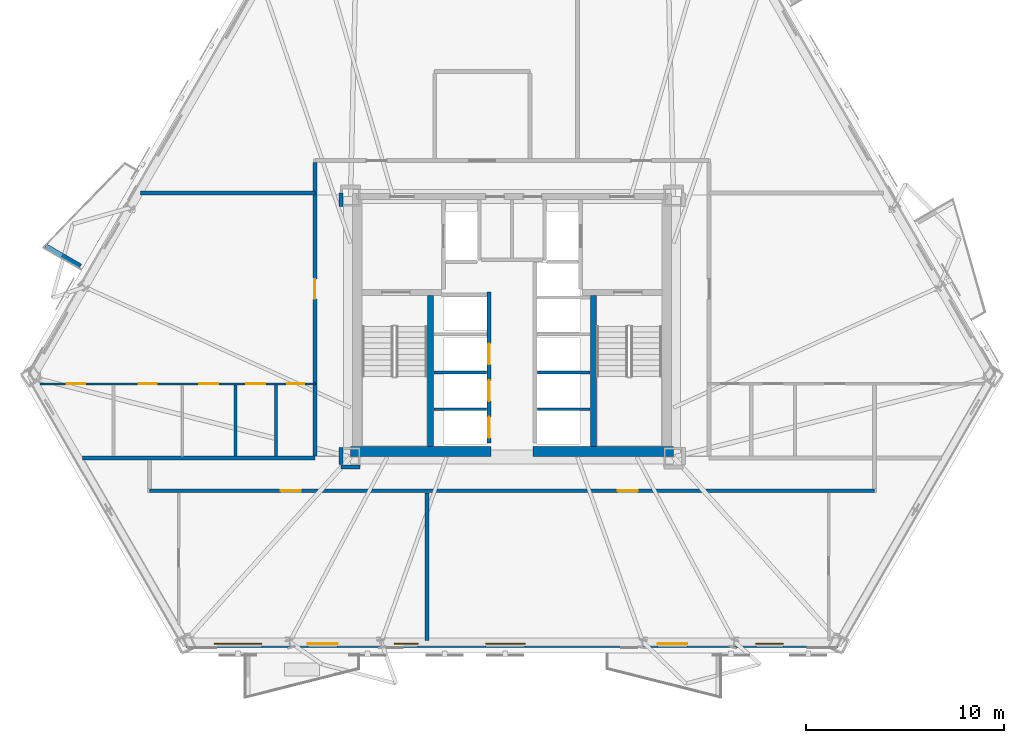
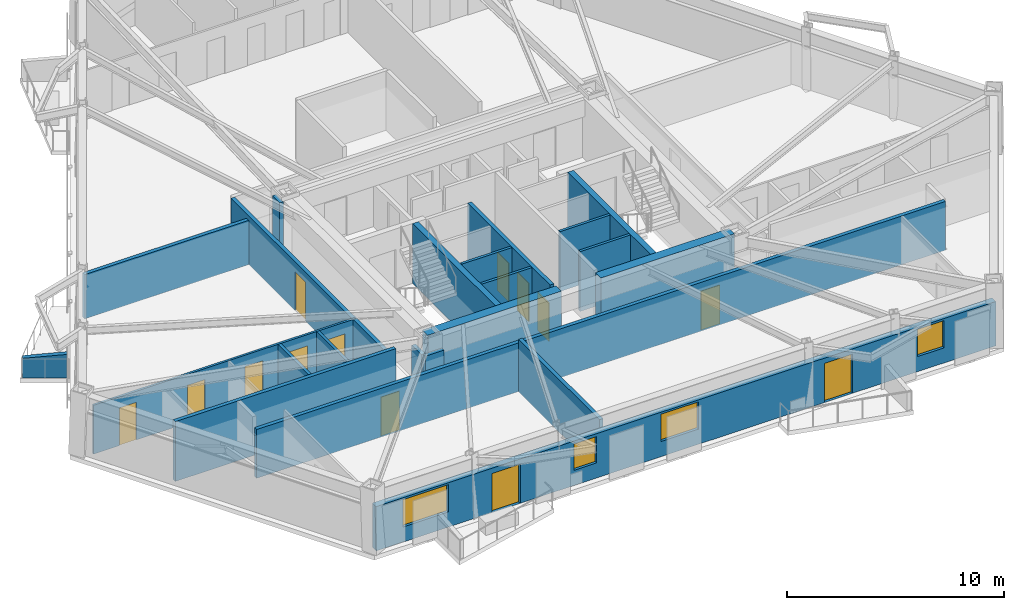
# One storey, part 3 of 12: 22 walls, 13 doors, 4 windows, 17 openings.
"""IFC4 building model written with IfcOpenShell, lengths in metres."""

import ifcopenshell
import ifcopenshell.guid

model = None  # the IFC model being written
_history = None  # IfcOwnerHistory: only IFC2X3 demands one
_inside = {}  # id of a spatial element -> (the spatial element, [elements in it])
_under = {}  # id of a project, library or spatial element -> (it, [spatial elements below it])
_declared = {}  # id of a project -> (the project, [libraries it declares])
_typed = {}  # id of a type object -> (the type object, [elements of that type])
_made_of = {}  # id of a material, layer set ... -> (it, [elements and type objects made of it])


def new_model(schema):
    """Start an empty IFC model of exactly this schema.

    Asked for "IFC4X3", IfcOpenShell would pick the latest addendum, in which some entities
    have other attributes; the version numbers below select the first issue.
    IFC2X3 requires an IfcOwnerHistory on every rooted entity: one is made here for all.
    """
    global model, _history
    if schema == "IFC4X3":
        model = ifcopenshell.file(schema_version=(4, 3, 0, 0))
    else:
        model = ifcopenshell.file(schema=schema)
    _inside.clear()
    _under.clear()
    _declared.clear()
    _typed.clear()
    _made_of.clear()
    _history = None
    if model.schema == "IFC2X3":
        org = make("IfcOrganization", Name="unknown")
        user = make(
            "IfcPersonAndOrganization",
            ThePerson=make("IfcPerson", FamilyName="unknown"),
            TheOrganization=org,
        )
        app = make(
            "IfcApplication",
            ApplicationDeveloper=org,
            Version="unknown",
            ApplicationFullName="unknown",
            ApplicationIdentifier="unknown",
        )
        _history = make(
            "IfcOwnerHistory",
            OwningUser=user,
            OwningApplication=app,
            ChangeAction="ADDED",
            CreationDate=0,
        )
    return model


def make(cls, **values):
    """One entity of the class cls with the attributes given. An attribute that is None is left unset."""
    return model.create_entity(
        cls, **{name: value for name, value in values.items() if value is not None}
    )


def rooted(cls, **values):
    """An entity with a GlobalId (a new one), such as an element, a storey or a relation."""
    return make(cls, GlobalId=ifcopenshell.guid.new(), OwnerHistory=_history, **values)


def si_unit(unit_type, name, prefix=None):
    """IfcSIUnit, for example si_unit("LENGTHUNIT", "METRE", prefix="MILLI")."""
    return make("IfcSIUnit", UnitType=unit_type, Prefix=prefix, Name=name)


def assignment(units):
    """IfcUnitAssignment: the units of a project."""
    return None if units is None else make("IfcUnitAssignment", Units=units)


def point(xyz):
    """IfcCartesianPoint."""
    return None if xyz is None else make("IfcCartesianPoint", Coordinates=xyz)


def direction(xyz):
    """IfcDirection."""
    return None if xyz is None else make("IfcDirection", DirectionRatios=xyz)


def frame(location, z_axis=None, x_axis=None):
    """IfcAxis2Placement3D, a coordinate frame: its origin and axes. An axis left out is left unset."""
    return make(
        "IfcAxis2Placement3D",
        Location=point(location),
        Axis=direction(z_axis),
        RefDirection=direction(x_axis),
    )


def frame_2d(location, x_axis=None):
    """IfcAxis2Placement2D, a coordinate frame in the plane: its origin and x axis."""
    return make(
        "IfcAxis2Placement2D", Location=point(location), RefDirection=direction(x_axis)
    )


def origin():
    """The frame at (0, 0, 0) with its axes left unset."""
    return frame((0.0, 0.0, 0.0))


def place(relative_to, where):
    """IfcLocalPlacement: puts the frame where relative to a parent placement (None: the world)."""
    return make(
        "IfcLocalPlacement", PlacementRelTo=relative_to, RelativePlacement=where
    )


def context(
    kind, dimensions, precision=None, world=None, true_north=None, identifier=None
):
    """IfcGeometricRepresentationContext, for example the 3D "Model" context."""
    return make(
        "IfcGeometricRepresentationContext",
        ContextIdentifier=identifier,
        ContextType=kind,
        CoordinateSpaceDimension=dimensions,
        Precision=precision,
        WorldCoordinateSystem=world,
        TrueNorth=true_north,
    )


def subcontext(parent, identifier, kind, view, scale=None):
    """IfcGeometricRepresentationSubContext, for example "Body" below "Model"."""
    return make(
        "IfcGeometricRepresentationSubContext",
        ContextIdentifier=identifier,
        ContextType=kind,
        ParentContext=parent,
        TargetScale=scale,
        TargetView=view,
    )


def project(units=None, contexts=None):
    """IfcProject with its units and contexts."""
    return rooted(
        "IfcProject",
        Name="project",
        RepresentationContexts=contexts,
        UnitsInContext=assignment(units),
    )


def spatial(cls, under=None, at=None, **own):
    """A site, building, storey or space (cls), placed at a placement, below another one or the project."""
    s = rooted(cls, ObjectPlacement=at, **own)
    if under is not None:
        _under.setdefault(under.id(), (under, []))[1].append(s)
    return s


def polyline(points):
    """IfcPolyline through the points."""
    return make("IfcPolyline", Points=[point(p) for p in points])


def profile(cls, at=None, kind="AREA", **sizes):
    """A parametric profile (cls). Its sizes go by their IFC names, for example OverallWidth=200.0."""
    return make(cls, ProfileType=kind, Position=at, **sizes)


def rectangle(**sizes):
    """IfcRectangleProfileDef."""
    return profile("IfcRectangleProfileDef", **sizes)


def outline(outer, holes=None, kind="AREA"):
    """IfcArbitraryClosedProfileDef: a profile drawn as a closed curve; with holes, ...WithVoids."""
    if holes is None:
        return make("IfcArbitraryClosedProfileDef", ProfileType=kind, OuterCurve=outer)
    return make(
        "IfcArbitraryProfileDefWithVoids",
        ProfileType=kind,
        OuterCurve=outer,
        InnerCurves=holes,
    )


def extrude(swept, where, along, depth):
    """IfcExtrudedAreaSolid: the profile swept, set in the frame where, extruded along a direction by depth."""
    return make(
        "IfcExtrudedAreaSolid",
        SweptArea=swept,
        Position=where,
        ExtrudedDirection=direction(along),
        Depth=depth,
    )


def shape(context_of_items, identifier, shape_type, items):
    """IfcShapeRepresentation: the items that make up one representation, for example the "Body"."""
    return make(
        "IfcShapeRepresentation",
        ContextOfItems=context_of_items,
        RepresentationIdentifier=identifier,
        RepresentationType=shape_type,
        Items=items,
    )


def material(Name=None, Category=None):
    """IfcMaterial."""
    return make("IfcMaterial", Name=Name, Category=Category)


def layer(
    of_material, thickness, ventilated=None, Name=None, Category=None, Priority=None
):
    """IfcMaterialLayer: one layer of a wall or slab, of a material (None: an air gap)."""
    return make(
        "IfcMaterialLayer",
        Material=of_material,
        LayerThickness=thickness,
        IsVentilated=ventilated,
        Name=Name,
        Category=Category,
        Priority=Priority,
    )


def layer_set(layers, Name=None):
    """IfcMaterialLayerSet."""
    return make("IfcMaterialLayerSet", MaterialLayers=layers, LayerSetName=Name)


def made_of(thing, what):
    """Note that an element or type object is made of a material, layer set ...; save() writes the relation."""
    if what is not None:
        _made_of.setdefault(what.id(), (what, []))[1].append(thing)
    return thing


def type_object(cls, material=None, **own):
    """A type object (cls), such as IfcWallType, which elements share."""
    return made_of(rooted(cls, **own), material)


def element(
    cls,
    number,
    at=None,
    inside=None,
    cuts=None,
    type_object=None,
    material=None,
    context=None,
    identifier="Body",
    shape_type=None,
    held_by="IfcProductDefinitionShape",
    body=None,
    shapes=None,
    **own,
):
    """One element of the class cls, such as IfcWall. Its Tag is "e" and its number.

    at: its placement. inside: the storey or other place that contains it. cuts: it is an
    opening in that element (IfcRelVoidsElement). A single representation is given by context,
    identifier, shape_type and body (its items); several are given by shapes. held_by: the class
    of the entity that holds the representations. save() writes the other relations.
    """
    e = rooted(cls, Tag="e%d" % number, ObjectPlacement=at, **own)
    if body is not None:
        shapes = [shape(context, identifier, shape_type, body)]
    if shapes is not None:
        e.Representation = make(held_by, Representations=shapes)
    if inside is not None:
        _inside.setdefault(inside.id(), (inside, []))[1].append(e)
    if cuts is not None:
        rooted(
            "IfcRelVoidsElement", RelatingBuildingElement=cuts, RelatedOpeningElement=e
        )
    if type_object is not None:
        _typed.setdefault(type_object.id(), (type_object, []))[1].append(e)
    return made_of(e, material)


def fill(opening, filler):
    """IfcRelFillsElement: the door or window that sits in an opening."""
    return rooted(
        "IfcRelFillsElement",
        RelatingOpeningElement=opening,
        RelatedBuildingElement=filler,
    )


def aggregate(whole, parts):
    """IfcRelAggregates: a whole, such as a stair, and the parts it consists of."""
    return rooted("IfcRelAggregates", RelatingObject=whole, RelatedObjects=parts)


def save(model, path):
    """Write the relations noted so far, then the file.

    IfcRelAggregates (storeys below a building ...), IfcRelContainedInSpatialStructure (elements
    in a storey), IfcRelDefinesByType, IfcRelAssociatesMaterial and IfcRelDeclares: one each for
    every whole, place, type object, material and project.
    """
    for whole, parts in _under.values():
        aggregate(whole, parts)
    for where, things in _inside.values():
        rooted(
            "IfcRelContainedInSpatialStructure",
            RelatedElements=things,
            RelatingStructure=where,
        )
    for kind, things in _typed.values():
        rooted("IfcRelDefinesByType", RelatedObjects=things, RelatingType=kind)
    for what, things in _made_of.values():
        rooted("IfcRelAssociatesMaterial", RelatedObjects=things, RelatingMaterial=what)
    for by, libraries in _declared.values():
        rooted("IfcRelDeclares", RelatingContext=by, RelatedDefinitions=libraries)
    model.write(path)


model = new_model("IFC4")

# Units and contexts
model_context = context("Model", 3, precision=1e-05, world=origin(), true_north=direction((0.0, 1.0)))
body_context = subcontext(model_context, "Body", "Model", "MODEL_VIEW")
ifc_project = project(units=[si_unit("LENGTHUNIT", "METRE"), si_unit("AREAUNIT", "SQUARE_METRE"), si_unit("VOLUMEUNIT", "CUBIC_METRE"), si_unit("PLANEANGLEUNIT", "RADIAN"), si_unit("MASSUNIT", "GRAM", prefix="KILO")], contexts=[model_context])

# Site, building, storey
site_placement = place(None, origin())
site = spatial("IfcSite", under=ifc_project, at=site_placement, CompositionType="ELEMENT")
building_placement = place(site_placement, origin())
building = spatial("IfcBuilding", under=site, at=building_placement, Name="Oramaril Tower", CompositionType="ELEMENT")
storey_placement = place(building_placement, frame((0.0, 0.0, 34.5)))
storey = spatial("IfcBuildingStorey", under=building, at=storey_placement, Name="L08", CompositionType="ELEMENT", Elevation=34.5)

# Wall, openings, doors, windows
ifc_material_1 = material(Name="Warm Cream Limestone", Category="masonry")
ifc_layer_1 = layer(ifc_material_1, 0.340087890625)
ifc_layer_set_1 = layer_set([ifc_layer_1], Name="WT-EXT34")
wall_type_1 = type_object("IfcWallType", Name="WT-EXT34", PredefinedType="SOLIDWALL", material=ifc_layer_set_1)
wall_1_placement = place(storey_placement, frame((21.0380859375, 1.5703125, 0.0), z_axis=(0.0, 0.0, 1.0), x_axis=(1.0, 0.0, 0.0)))
wall_1 = element("IfcWall", 1, at=wall_1_placement, inside=storey, type_object=wall_type_1, Name="L08 Tower Limestone Facade Wall 2M", PredefinedType="SOLIDWALL", context=body_context, shape_type="SweptSolid", body=[
    extrude(rectangle(XDim=32.923828125, YDim=0.340087890625, at=frame_2d((16.4619140625, 0.0))), origin(), (0.0, 0.0, 1.0), 2.493896484375),
])
opening_1_placement = place(wall_1_placement, frame((6.159423828125, 0.0, 0.0)))
opening_1 = element("IfcOpeningElement", 2, at=opening_1_placement, cuts=wall_1, Name="Opening D-L08-BAL-S1", PredefinedType="OPENING", context=body_context, shape_type="SweptSolid", body=[
    extrude(rectangle(XDim=1.5, YDim=2.199951171875, at=frame_2d((0.75, 1.10009765625))), frame((0.0, 0.169921875, 0.0), z_axis=(0.0, -1.0, 0.0), x_axis=(1.0, 0.0, 0.0)), (0.0, 0.0, 1.0), 0.340087890625),
])
opening_2_placement = place(wall_1_placement, frame((23.809326171875, 0.0, 0.0)))
opening_2 = element("IfcOpeningElement", 3, at=opening_2_placement, cuts=wall_1, Name="Opening D-L08-BAL-S2", PredefinedType="OPENING", context=body_context, shape_type="SweptSolid", body=[
    extrude(rectangle(XDim=1.5, YDim=2.199951171875, at=frame_2d((0.75, 1.10009765625))), frame((0.0, 0.169921875, 0.0), z_axis=(0.0, -1.0, 0.0), x_axis=(1.0, 0.0, 0.0)), (0.0, 0.0, 1.0), 0.340087890625),
])
opening_3_placement = place(wall_1_placement, frame((1.43310546875, 0.0, 0.85009765625)))
opening_3 = element("IfcOpeningElement", 4, at=opening_3_placement, cuts=wall_1, Name="Opening WN-03", PredefinedType="OPENING", context=body_context, shape_type="SweptSolid", body=[
    extrude(rectangle(XDim=2.39990234375, YDim=1.533935546875, at=frame_2d((1.199951171875, 0.76708984375))), frame((0.0, 0.169921875, 0.0), z_axis=(0.0, -1.0, 0.0), x_axis=(1.0, 0.0, 0.0)), (0.0, 0.0, 1.0), 0.340087890625),
])
opening_4_placement = place(wall_1_placement, frame((10.517822265625, 0.0, 0.85009765625)))
opening_4 = element("IfcOpeningElement", 5, at=opening_4_placement, cuts=wall_1, Name="Opening WN-09", PredefinedType="OPENING", context=body_context, shape_type="SweptSolid", body=[
    extrude(rectangle(XDim=1.199951171875, YDim=1.47998046875, at=frame_2d((0.60009765625, 0.739990234375))), frame((0.0, 0.169921875, 0.0), z_axis=(0.0, -1.0, 0.0), x_axis=(1.0, 0.0, 0.0)), (0.0, 0.0, 1.0), 0.340087890625),
])
opening_5_placement = place(wall_1_placement, frame((15.125732421875, 0.0, 0.85009765625)))
opening_5 = element("IfcOpeningElement", 6, at=opening_5_placement, cuts=wall_1, Name="Opening WN-05", PredefinedType="OPENING", context=body_context, shape_type="SweptSolid", body=[
    extrude(rectangle(XDim=2.0, YDim=1.533935546875, at=frame_2d((1.0, 0.76708984375))), frame((0.0, 0.169921875, 0.0), z_axis=(0.0, -1.0, 0.0), x_axis=(1.0, 0.0, 0.0)), (0.0, 0.0, 1.0), 0.340087890625),
])
opening_6_placement = place(wall_1_placement, frame((28.765869140625, 0.0, 0.85009765625)))
opening_6 = element("IfcOpeningElement", 7, at=opening_6_placement, cuts=wall_1, Name="Opening WN-08", PredefinedType="OPENING", context=body_context, shape_type="SweptSolid", body=[
    extrude(rectangle(XDim=1.39990234375, YDim=1.533935546875, at=frame_2d((0.699951171875, 0.76708984375))), frame((0.0, 0.169921875, 0.0), z_axis=(0.0, -1.0, 0.0), x_axis=(1.0, 0.0, 0.0)), (0.0, 0.0, 1.0), 0.340087890625),
])
ifc_material_2 = material(Name="Anodised Aluminium 6063-T6", Category="aluminium")
door_type_1 = type_object("IfcDoorType", Name="DT-BAL", OperationType="NOTDEFINED", PredefinedType="DOOR", material=ifc_material_2)
door_1_placement = place(opening_1_placement, origin())
door_1 = element("IfcDoor", 8, at=door_1_placement, inside=storey, type_object=door_type_1, Name="L08 Balcony Glazed Door L08-BAL-S1", OperationType="SINGLE_SWING_LEFT", OverallHeight=2.199951171875, OverallWidth=1.5, PredefinedType="DOOR", context=body_context, shape_type="SweptSolid", body=[
    extrude(rectangle(XDim=1.5, YDim=2.199951171875, at=frame_2d((0.75, 1.10009765625))), frame((0.0, 0.02490234375, 0.0), z_axis=(0.0, -1.0, 0.0), x_axis=(1.0, 0.0, 0.0)), (0.0, 0.0, 1.0), 0.050048828125),
])
fill(opening_1, door_1)
door_2_placement = place(opening_2_placement, origin())
door_2 = element("IfcDoor", 9, at=door_2_placement, inside=storey, type_object=door_type_1, Name="L08 Balcony Glazed Door L08-BAL-S2", OperationType="SINGLE_SWING_RIGHT", OverallHeight=2.199951171875, OverallWidth=1.5, PredefinedType="DOOR", context=body_context, shape_type="SweptSolid", body=[
    extrude(rectangle(XDim=1.5, YDim=2.199951171875, at=frame_2d((0.75, 1.10009765625))), frame((0.0, 0.02490234375, 0.0), z_axis=(0.0, -1.0, 0.0), x_axis=(1.0, 0.0, 0.0)), (0.0, 0.0, 1.0), 0.050048828125),
])
fill(opening_2, door_2)
ifc_material_3 = material(Name="Coastal Low-E Insulated Glass", Category="glass")
window_type_1 = type_object("IfcWindowType", Name="WNT-03", PartitioningType="SINGLE_PANEL", PredefinedType="WINDOW", material=ifc_material_3)
window_1_placement = place(opening_3_placement, origin())
window_1 = element("IfcWindow", 10, at=window_1_placement, inside=storey, type_object=window_type_1, Name="L08 Chicago Bay Window WN-03", OverallHeight=1.533935546875, OverallWidth=2.39990234375, PartitioningType="SINGLE_PANEL", PredefinedType="WINDOW", context=body_context, shape_type="SweptSolid", body=[
    extrude(rectangle(XDim=2.39990234375, YDim=1.533935546875, at=frame_2d((1.199951171875, 0.76708984375))), frame((0.0, 0.030029296875, 0.0), z_axis=(0.0, -1.0, 0.0), x_axis=(1.0, 0.0, 0.0)), (0.0, 0.0, 1.0), 0.06005859375),
])
fill(opening_3, window_1)
ifc_material_4 = material(Name="Coastal Low-E Insulated Glass", Category="glass")
window_type_2 = type_object("IfcWindowType", Name="WNT-05", PartitioningType="SINGLE_PANEL", PredefinedType="WINDOW", material=ifc_material_4)
window_2_placement = place(opening_5_placement, origin())
window_2 = element("IfcWindow", 11, at=window_2_placement, inside=storey, type_object=window_type_2, Name="L08 Chicago Bay Window WN-05", OverallHeight=1.533935546875, OverallWidth=2.0, PartitioningType="SINGLE_PANEL", PredefinedType="WINDOW", context=body_context, shape_type="SweptSolid", body=[
    extrude(rectangle(XDim=2.0, YDim=1.533935546875, at=frame_2d((1.0, 0.76708984375))), frame((0.0, 0.030029296875, 0.0), z_axis=(0.0, -1.0, 0.0), x_axis=(1.0, 0.0, 0.0)), (0.0, 0.0, 1.0), 0.06005859375),
])
fill(opening_5, window_2)
ifc_material_5 = material(Name="Coastal Low-E Insulated Glass", Category="glass")
window_type_3 = type_object("IfcWindowType", Name="WNT-08", PartitioningType="SINGLE_PANEL", PredefinedType="WINDOW", material=ifc_material_5)
window_3_placement = place(opening_6_placement, origin())
window_3 = element("IfcWindow", 12, at=window_3_placement, inside=storey, type_object=window_type_3, Name="L08 Chicago Bay Window WN-08", OverallHeight=1.533935546875, OverallWidth=1.39990234375, PartitioningType="SINGLE_PANEL", PredefinedType="WINDOW", context=body_context, shape_type="SweptSolid", body=[
    extrude(rectangle(XDim=1.39990234375, YDim=1.533935546875, at=frame_2d((0.699951171875, 0.76708984375))), frame((0.0, 0.030029296875, 0.0), z_axis=(0.0, -1.0, 0.0), x_axis=(1.0, 0.0, 0.0)), (0.0, 0.0, 1.0), 0.06005859375),
])
fill(opening_6, window_3)
ifc_material_6 = material(Name="Coastal Low-E Insulated Glass", Category="glass")
window_type_4 = type_object("IfcWindowType", Name="WNT-09", PartitioningType="SINGLE_PANEL", PredefinedType="WINDOW", material=ifc_material_6)
window_4_placement = place(opening_4_placement, origin())
window_4 = element("IfcWindow", 13, at=window_4_placement, inside=storey, type_object=window_type_4, Name="L08 Chicago Bay Window WN-09", OverallHeight=1.47998046875, OverallWidth=1.199951171875, PartitioningType="SINGLE_PANEL", PredefinedType="WINDOW", context=body_context, shape_type="SweptSolid", body=[
    extrude(rectangle(XDim=1.199951171875, YDim=1.47998046875, at=frame_2d((0.60009765625, 0.739990234375))), frame((0.0, 0.030029296875, 0.0), z_axis=(0.0, -1.0, 0.0), x_axis=(1.0, 0.0, 0.0)), (0.0, 0.0, 1.0), 0.06005859375),
])
fill(opening_4, window_4)

# Wall
ifc_material_7 = material(Name="Concrete C40/50", Category="concrete")
ifc_layer_2 = layer(ifc_material_7, 0.22998046875)
ifc_layer_set_2 = layer_set([ifc_layer_2], Name="WT-PRP23")
wall_type_2 = type_object("IfcWallType", Name="WT-PRP23", PredefinedType="PARAPET", material=ifc_layer_set_2)
wall_2_placement = place(storey_placement, frame((15.7236328125, 20.6376953125, 0.0), z_axis=(0.0, 0.0, 1.0), x_axis=(-0.866012356593, 0.500022597718, 0.0)))
element("IfcWall", 14, at=wall_2_placement, inside=storey, type_object=wall_type_2, Name="L08 Trapezoidal Balcony Frame Cheek L08-BAL-NW2-R", PredefinedType="PARAPET", context=body_context, shape_type="SweptSolid", body=[
    extrude(outline(polyline([(0.0, 0.0), (2.0419921875, 0.0), (2.0419921875, 1.10009765625), (0.0, 1.320068359375), (0.0, 0.0)])), frame((0.0, 0.114990234375, 0.0), z_axis=(0.0, -1.0, 0.0), x_axis=(1.0, 0.0, 0.0)), (0.0, 0.0, 1.0), 0.22998046875),
])

# Wall, openings, doors
ifc_material_8 = material(Name="Acoustic Gypsum Board Partition")
ifc_layer_3 = layer(ifc_material_8, 0.1201171875)
ifc_layer_set_3 = layer_set([ifc_layer_3], Name="WT-PT12")
wall_type_3 = type_object("IfcWallType", Name="WT-PT12", PredefinedType="PARTITIONING", material=ifc_layer_set_3)
wall_3_placement = place(storey_placement, frame((13.66943359375, 14.68994140625, 0.0), z_axis=(0.0, 0.0, 1.0), x_axis=(1.0, 0.0, 0.0)))
wall_3 = element("IfcWall", 15, at=wall_3_placement, inside=storey, type_object=wall_type_3, Name="L08 Interior Partition PT-12", PredefinedType="PARTITIONING", context=body_context, shape_type="SweptSolid", body=[
    extrude(rectangle(XDim=13.9306640625, YDim=0.1201171875, at=frame_2d((6.96533203125, 0.0))), origin(), (0.0, 0.0, 1.0), 2.738037109375),
])
opening_7_placement = place(wall_3_placement, frame((1.363037109375, 0.0, 0.0)))
opening_7 = element("IfcOpeningElement", 16, at=opening_7_placement, cuts=wall_3, Name="Opening D-L08-03", PredefinedType="OPENING", context=body_context, shape_type="SweptSolid", body=[
    extrude(rectangle(XDim=0.919921875, YDim=2.1201171875, at=frame_2d((0.4599609375, 1.06005859375))), frame((0.0, 0.06005859375, 0.0), z_axis=(0.0, -1.0, 0.0), x_axis=(1.0, 0.0, 0.0)), (0.0, 0.0, 1.0), 0.1201171875),
])
opening_8_placement = place(wall_3_placement, frame((4.989501953125, 0.0, 0.0)))
opening_8 = element("IfcOpeningElement", 17, at=opening_8_placement, cuts=wall_3, Name="Opening D-L08-04", PredefinedType="OPENING", context=body_context, shape_type="SweptSolid", body=[
    extrude(rectangle(XDim=0.919921875, YDim=2.1201171875, at=frame_2d((0.4599609375, 1.06005859375))), frame((0.0, 0.06005859375, 0.0), z_axis=(0.0, -1.0, 0.0), x_axis=(1.0, 0.0, 0.0)), (0.0, 0.0, 1.0), 0.1201171875),
])
opening_9_placement = place(wall_3_placement, frame((8.0546875, 0.0, 0.0)))
opening_9 = element("IfcOpeningElement", 18, at=opening_9_placement, cuts=wall_3, Name="Opening D-L08-05", PredefinedType="OPENING", context=body_context, shape_type="SweptSolid", body=[
    extrude(rectangle(XDim=0.949951171875, YDim=2.10009765625, at=frame_2d((0.47509765625, 1.050048828125))), frame((0.0, 0.06005859375, 0.0), z_axis=(0.0, -1.0, 0.0), x_axis=(1.0, 0.0, 0.0)), (0.0, 0.0, 1.0), 0.1201171875),
])
opening_10_placement = place(wall_3_placement, frame((10.421142578125, 0.0, 0.0)))
opening_10 = element("IfcOpeningElement", 19, at=opening_10_placement, cuts=wall_3, Name="Opening D-L08-06", PredefinedType="OPENING", context=body_context, shape_type="SweptSolid", body=[
    extrude(rectangle(XDim=0.949951171875, YDim=2.10009765625, at=frame_2d((0.47509765625, 1.050048828125))), frame((0.0, 0.06005859375, 0.0), z_axis=(0.0, -1.0, 0.0), x_axis=(1.0, 0.0, 0.0)), (0.0, 0.0, 1.0), 0.1201171875),
])
opening_11_placement = place(wall_3_placement, frame((12.475830078125, 0.0, 0.0)))
opening_11 = element("IfcOpeningElement", 20, at=opening_11_placement, cuts=wall_3, Name="Opening D-L08-07", PredefinedType="OPENING", context=body_context, shape_type="SweptSolid", body=[
    extrude(rectangle(XDim=0.8798828125, YDim=2.080078125, at=frame_2d((0.43994140625, 1.0400390625))), frame((0.0, 0.06005859375, 0.0), z_axis=(0.0, -1.0, 0.0), x_axis=(1.0, 0.0, 0.0)), (0.0, 0.0, 1.0), 0.1201171875),
])
ifc_material_9 = material(Name="FSC Brazilian Freijo Hardwood", Category="wood")
door_type_2 = type_object("IfcDoorType", Name="DT-BATH", OperationType="NOTDEFINED", PredefinedType="DOOR", material=ifc_material_9)
door_3_placement = place(opening_11_placement, origin())
door_3 = element("IfcDoor", 21, at=door_3_placement, inside=storey, type_object=door_type_2, Name="L08 Flat L08-U3 Bathroom Door D-L08-07", OperationType="SINGLE_SWING_LEFT", OverallHeight=2.080078125, OverallWidth=0.8798828125, PredefinedType="DOOR", context=body_context, shape_type="SweptSolid", body=[
    extrude(rectangle(XDim=0.8798828125, YDim=2.080078125, at=frame_2d((0.43994140625, 1.0400390625))), frame((0.0, 0.02490234375, 0.0), z_axis=(0.0, -1.0, 0.0), x_axis=(1.0, 0.0, 0.0)), (0.0, 0.0, 1.0), 0.050048828125),
])
fill(opening_11, door_3)
ifc_material_10 = material(Name="FSC Brazilian Freijo Hardwood", Category="wood")
door_type_3 = type_object("IfcDoorType", Name="DT-BED", OperationType="NOTDEFINED", PredefinedType="DOOR", material=ifc_material_10)
door_4_placement = place(opening_7_placement, origin())
door_4 = element("IfcDoor", 22, at=door_4_placement, inside=storey, type_object=door_type_3, Name="L08 Flat L08-U3 Master Bedroom Door D-L08-03", OperationType="SINGLE_SWING_LEFT", OverallHeight=2.1201171875, OverallWidth=0.919921875, PredefinedType="DOOR", context=body_context, shape_type="SweptSolid", body=[
    extrude(rectangle(XDim=0.919921875, YDim=2.1201171875, at=frame_2d((0.4599609375, 1.06005859375))), frame((0.0, 0.02490234375, 0.0), z_axis=(0.0, -1.0, 0.0), x_axis=(1.0, 0.0, 0.0)), (0.0, 0.0, 1.0), 0.050048828125),
])
fill(opening_7, door_4)
door_5_placement = place(opening_8_placement, origin())
door_5 = element("IfcDoor", 23, at=door_5_placement, inside=storey, type_object=door_type_3, Name="L08 Flat L08-U3 Bedroom 2 Door D-L08-04", OperationType="SINGLE_SWING_RIGHT", OverallHeight=2.1201171875, OverallWidth=0.919921875, PredefinedType="DOOR", context=body_context, shape_type="SweptSolid", body=[
    extrude(rectangle(XDim=0.919921875, YDim=2.1201171875, at=frame_2d((0.4599609375, 1.06005859375))), frame((0.0, 0.02490234375, 0.0), z_axis=(0.0, -1.0, 0.0), x_axis=(1.0, 0.0, 0.0)), (0.0, 0.0, 1.0), 0.050048828125),
])
fill(opening_8, door_5)
ifc_material_11 = material(Name="FSC Brazilian Freijo Hardwood", Category="wood")
door_type_4 = type_object("IfcDoorType", Name="DT-STDY", OperationType="NOTDEFINED", PredefinedType="DOOR", material=ifc_material_11)
door_6_placement = place(opening_9_placement, origin())
door_6 = element("IfcDoor", 24, at=door_6_placement, inside=storey, type_object=door_type_4, Name="L08 Flat L08-U3 Breakfast Dining Room Door D-L08-05", OperationType="SINGLE_SWING_LEFT", OverallHeight=2.10009765625, OverallWidth=0.949951171875, PredefinedType="DOOR", context=body_context, shape_type="SweptSolid", body=[
    extrude(rectangle(XDim=0.949951171875, YDim=2.10009765625, at=frame_2d((0.47509765625, 1.050048828125))), frame((0.0, 0.02490234375, 0.0), z_axis=(0.0, -1.0, 0.0), x_axis=(1.0, 0.0, 0.0)), (0.0, 0.0, 1.0), 0.050048828125),
])
fill(opening_9, door_6)
door_7_placement = place(opening_10_placement, origin())
door_7 = element("IfcDoor", 25, at=door_7_placement, inside=storey, type_object=door_type_4, Name="L08 Flat L08-U3 Kitchen Door D-L08-06", OperationType="SINGLE_SWING_RIGHT", OverallHeight=2.10009765625, OverallWidth=0.949951171875, PredefinedType="DOOR", context=body_context, shape_type="SweptSolid", body=[
    extrude(rectangle(XDim=0.949951171875, YDim=2.10009765625, at=frame_2d((0.47509765625, 1.050048828125))), frame((0.0, 0.02490234375, 0.0), z_axis=(0.0, -1.0, 0.0), x_axis=(1.0, 0.0, 0.0)), (0.0, 0.0, 1.0), 0.050048828125),
])
fill(opening_10, door_7)

# Walls
ifc_material_12 = material(Name="Acoustic Gypsum Board Partition")
ifc_layer_4 = layer(ifc_material_12, 0.139892578125)
ifc_layer_set_4 = layer_set([ifc_layer_4], Name="WT-PT14")
wall_type_4 = type_object("IfcWallType", Name="WT-PT14", PredefinedType="PARTITIONING", material=ifc_layer_set_4)
for number, where, z_axis, x_axis, name in (
    (26, (33.56005859375, 13.419921875, 0.0), (0.0, 0.0, 1.0), (1.0, 0.0, 0.0), "L08 West Lift Divider"),
    (27, (33.56005859375, 15.27001953125, 0.0), (0.0, 0.0, 1.0), (1.0, 0.0, 0.0), "L08 West Lift Divider"),
    (28, (38.780029296875, 13.419921875, 0.0), (0.0, 0.0, 1.0), (1.0, 0.0, 0.0), "L08 East Lift Divider"),
    (29, (38.780029296875, 15.27001953125, 0.0), (0.0, 0.0, 1.0), (1.0, 0.0, 0.0), "L08 East Lift Divider"),
):
    element("IfcWall", number, at=place(storey_placement, frame(where, z_axis=z_axis, x_axis=x_axis)), inside=storey, type_object=wall_type_4, Name=name, PredefinedType="PARTITIONING", context=body_context, shape_type="SweptSolid", body=[
        extrude(rectangle(XDim=2.659912109375, YDim=0.139892578125, at=frame_2d((1.330078125, 0.0))), origin(), (0.0, 0.0, 1.0), 3.360107421875),
    ])
wall_4_placement = place(storey_placement, frame((25.590087890625, 11.053955078125, 0.0), z_axis=(0.0, 0.0, 1.0), x_axis=(0.0, 1.0, 0.0)))
element("IfcWall", 30, at=wall_4_placement, inside=storey, type_object=wall_type_4, Name="L08 Interior Partition PT-14", PredefinedType="PARTITIONING", context=body_context, shape_type="SweptSolid", body=[
    extrude(rectangle(XDim=3.572021484375, YDim=0.139892578125, at=frame_2d((1.7861328125, 0.0))), origin(), (0.0, 0.0, 1.0), 2.738037109375),
])
ifc_material_13 = material(Name="Acoustic Gypsum Board Partition")
ifc_layer_5 = layer(ifc_material_13, 0.159912109375)
ifc_layer_set_5 = layer_set([ifc_layer_5], Name="WT-PT16")
wall_type_5 = type_object("IfcWallType", Name="WT-PT16", PredefinedType="PARTITIONING", material=ifc_layer_set_5)
wall_5_placement = place(storey_placement, frame((23.5400390625, 11.053955078125, 0.0), z_axis=(0.0, 0.0, 1.0), x_axis=(0.0, 1.0, 0.0)))
element("IfcWall", 31, at=wall_5_placement, inside=storey, type_object=wall_type_5, Name="L08 Interior Partition PT-16", PredefinedType="PARTITIONING", context=body_context, shape_type="SweptSolid", body=[
    extrude(rectangle(XDim=3.572021484375, YDim=0.159912109375, at=frame_2d((1.7861328125, 0.0))), origin(), (0.0, 0.0, 1.0), 2.738037109375),
])

# Wall, openings, doors
ifc_material_14 = material(Name="Autoclaved Cellular Concrete Block", Category="concrete")
ifc_layer_6 = layer(ifc_material_14, 0.199951171875)
ifc_layer_set_6 = layer_set([ifc_layer_6], Name="WT-PT20")
wall_type_6 = type_object("IfcWallType", Name="WT-PT20", PredefinedType="PARTITIONING", material=ifc_layer_set_6)
wall_6_placement = place(storey_placement, frame((19.199951171875, 9.300048828125, 0.0), z_axis=(0.0, 0.0, 1.0), x_axis=(1.0, 0.0, 0.0)))
wall_6 = element("IfcWall", 32, at=wall_6_placement, inside=storey, type_object=wall_type_6, Name="L08 Interior Partition PT-20", PredefinedType="PARTITIONING", context=body_context, shape_type="SweptSolid", body=[
    extrude(rectangle(XDim=36.60009765625, YDim=0.199951171875, at=frame_2d((18.300048828125, 0.0))), origin(), (0.0, 0.0, 1.0), 2.738037109375),
])
opening_12_placement = place(wall_6_placement, frame((6.637939453125, 0.0, 0.0)))
opening_12 = element("IfcOpeningElement", 33, at=opening_12_placement, cuts=wall_6, Name="Opening D-L08-01", PredefinedType="OPENING", context=body_context, shape_type="SweptSolid", body=[
    extrude(rectangle(XDim=1.0, YDim=2.179931640625, at=frame_2d((0.5, 1.08984375))), frame((0.0, 0.10009765625, 0.0), z_axis=(0.0, -1.0, 0.0), x_axis=(1.0, 0.0, 0.0)), (0.0, 0.0, 1.0), 0.199951171875),
])
opening_13_placement = place(wall_6_placement, frame((23.6416015625, 0.0, 0.0)))
opening_13 = element("IfcOpeningElement", 34, at=opening_13_placement, cuts=wall_6, Name="Opening D-L08-02", PredefinedType="OPENING", context=body_context, shape_type="SweptSolid", body=[
    extrude(rectangle(XDim=1.0, YDim=2.179931640625, at=frame_2d((0.5, 1.08984375))), frame((0.0, 0.10009765625, 0.0), z_axis=(0.0, -1.0, 0.0), x_axis=(1.0, 0.0, 0.0)), (0.0, 0.0, 1.0), 0.199951171875),
])
ifc_material_15 = material(Name="FSC Brazilian Freijo Hardwood", Category="wood")
door_type_5 = type_object("IfcDoorType", Name="DT-APT", OperationType="NOTDEFINED", PredefinedType="DOOR", material=ifc_material_15)
door_8_placement = place(opening_12_placement, origin())
door_8 = element("IfcDoor", 35, at=door_8_placement, inside=storey, type_object=door_type_5, Name="L08 Flat L08-U1 Kitchen and Studio Apartment Door D-L08-01", OperationType="SINGLE_SWING_LEFT", OverallHeight=2.179931640625, OverallWidth=1.0, PredefinedType="DOOR", context=body_context, shape_type="SweptSolid", body=[
    extrude(rectangle(XDim=1.0, YDim=2.179931640625, at=frame_2d((0.5, 1.08984375))), frame((0.0, 0.02490234375, 0.0), z_axis=(0.0, -1.0, 0.0), x_axis=(1.0, 0.0, 0.0)), (0.0, 0.0, 1.0), 0.050048828125),
])
fill(opening_12, door_8)
door_9_placement = place(opening_13_placement, origin())
door_9 = element("IfcDoor", 36, at=door_9_placement, inside=storey, type_object=door_type_5, Name="L08 Flat L08-U2 Kitchen and Studio Apartment Door D-L08-02", OperationType="SINGLE_SWING_RIGHT", OverallHeight=2.179931640625, OverallWidth=1.0, PredefinedType="DOOR", context=body_context, shape_type="SweptSolid", body=[
    extrude(rectangle(XDim=1.0, YDim=2.179931640625, at=frame_2d((0.5, 1.08984375))), frame((0.0, 0.02490234375, 0.0), z_axis=(0.0, -1.0, 0.0), x_axis=(1.0, 0.0, 0.0)), (0.0, 0.0, 1.0), 0.050048828125),
])
fill(opening_13, door_9)

# Walls
wall_7_placement = place(storey_placement, frame((28.860107421875, 10.510009765625, 0.0), z_axis=(0.0, 0.0, 1.0), x_axis=(1.0, 0.0, 0.0)))
element("IfcWall", 37, at=wall_7_placement, inside=storey, type_object=wall_type_6, Name="L08 Interior Partition PT-20", PredefinedType="PARTITIONING", context=body_context, shape_type="SweptSolid", body=[
    extrude(rectangle(XDim=0.97998046875, YDim=0.199951171875, at=frame_2d((0.489990234375, 0.0))), origin(), (0.0, 0.0, 1.0), 2.738037109375),
])
wall_8_placement = place(storey_placement, frame((15.82373046875, 10.949951171875, 0.0), z_axis=(0.0, 0.0, 1.0), x_axis=(1.0, 0.0, 0.0)))
element("IfcWall", 38, at=wall_8_placement, inside=storey, type_object=wall_type_6, Name="L08 Interior Partition PT-20", PredefinedType="PARTITIONING", context=body_context, shape_type="SweptSolid", body=[
    extrude(rectangle(XDim=11.726318359375, YDim=0.199951171875, at=frame_2d((5.86328125, 0.0))), origin(), (0.0, 0.0, 1.0), 3.360107421875),
])
wall_9_placement = place(storey_placement, frame((18.7412109375, 24.320068359375, 0.0), z_axis=(0.0, 0.0, 1.0), x_axis=(1.0, 0.0, 0.0)))
element("IfcWall", 39, at=wall_9_placement, inside=storey, type_object=wall_type_6, Name="L08 Interior Partition PT-20", PredefinedType="PARTITIONING", context=body_context, shape_type="SweptSolid", body=[
    extrude(rectangle(XDim=8.808837890625, YDim=0.199951171875, at=frame_2d((4.404296875, 0.0))), origin(), (0.0, 0.0, 1.0), 2.493896484375),
])

# Wall, opening, door
wall_10_placement = place(storey_placement, frame((27.550048828125, 11.053955078125, 0.0), z_axis=(0.0, 0.0, 1.0), x_axis=(0.0, 1.0, 0.0)))
wall_10 = element("IfcWall", 40, at=wall_10_placement, inside=storey, type_object=wall_type_6, Name="L08 Interior Partition PT-20", PredefinedType="PARTITIONING", context=body_context, shape_type="SweptSolid", body=[
    extrude(rectangle(XDim=14.81201171875, YDim=0.199951171875, at=frame_2d((7.406005859375, 0.0))), origin(), (0.0, 0.0, 1.0), 2.738037109375),
])
opening_14_placement = place(wall_10_placement, frame((7.931884765625, 0.0, 0.0)))
opening_14 = element("IfcOpeningElement", 41, at=opening_14_placement, cuts=wall_10, Name="Opening D-L08-26", PredefinedType="OPENING", context=body_context, shape_type="SweptSolid", body=[
    extrude(rectangle(XDim=1.0, YDim=2.179931640625, at=frame_2d((0.5, 1.08984375))), frame((0.0, 0.10009765625, 0.0), z_axis=(0.0, -1.0, 0.0), x_axis=(1.0, 0.0, 0.0)), (0.0, 0.0, 1.0), 0.199951171875),
])
door_10_placement = place(opening_14_placement, origin())
door_10 = element("IfcDoor", 42, at=door_10_placement, inside=storey, type_object=door_type_5, Name="L08 Flat L08-U3 Penthouse 2-Bedroom Living and Dining Room Door D-L08-26", OperationType="SINGLE_SWING_RIGHT", OverallHeight=2.179931640625, OverallWidth=1.0, PredefinedType="DOOR", context=body_context, shape_type="SweptSolid", body=[
    extrude(rectangle(XDim=1.0, YDim=2.179931640625, at=frame_2d((0.5, 1.08984375))), frame((0.0, 0.02490234375, 0.0), z_axis=(0.0, -1.0, 0.0), x_axis=(1.0, 0.0, 0.0)), (0.0, 0.0, 1.0), 0.050048828125),
])
fill(opening_14, door_10)

# Walls
wall_11_placement = place(storey_placement, frame((28.860107421875, 10.614013671875, 0.0), z_axis=(0.0, 0.0, 1.0), x_axis=(0.0, 1.0, 0.0)))
element("IfcWall", 43, at=wall_11_placement, inside=storey, type_object=wall_type_6, Name="L08 Interior Partition PT-20", PredefinedType="PARTITIONING", context=body_context, shape_type="SweptSolid", body=[
    extrude(rectangle(XDim=0.881103515625, YDim=0.199951171875, at=frame_2d((0.4404296875, 0.0))), origin(), (0.0, 0.0, 1.0), 2.738037109375),
])
wall_12_placement = place(storey_placement, frame((28.860107421875, 23.655029296875, 0.0), z_axis=(0.0, 0.0, 1.0), x_axis=(0.0, 1.0, 0.0)))
element("IfcWall", 44, at=wall_12_placement, inside=storey, type_object=wall_type_6, Name="L08 Interior Partition PT-20", PredefinedType="PARTITIONING", context=body_context, shape_type="SweptSolid", body=[
    extrude(rectangle(XDim=0.6650390625, YDim=0.199951171875, at=frame_2d((0.33251953125, 0.0))), origin(), (0.0, 0.0, 1.0), 3.360107421875),
])
wall_13_placement = place(storey_placement, frame((33.199951171875, 1.744384765625, 0.0), z_axis=(0.0, 0.0, 1.0), x_axis=(0.0, 1.0, 0.0)))
element("IfcWall", 45, at=wall_13_placement, inside=storey, type_object=wall_type_6, Name="L08 Interior Partition PT-20", PredefinedType="PARTITIONING", context=body_context, shape_type="SweptSolid", body=[
    extrude(rectangle(XDim=7.45166015625, YDim=0.199951171875, at=frame_2d((3.725830078125, 0.0))), origin(), (0.0, 0.0, 1.0), 2.946044921875),
])
ifc_material_16 = material(Name="Concrete C50/60", Category="concrete")
ifc_layer_7 = layer(ifc_material_16, 0.300048828125)
ifc_layer_set_7 = layer_set([ifc_layer_7], Name="WT-SH30")
wall_type_7 = type_object("IfcWallType", Name="WT-SH30", PredefinedType="SHEAR", material=ifc_layer_set_7)
for number, where, z_axis, x_axis, name in (
    (46, (33.3798828125, 11.5400390625, 0.0), (0.0, 0.0, 1.0), (0.0, 1.0, 0.0), "L08 Core Shear Wall CW-ST1E"),
    (47, (41.6201171875, 11.5400390625, 0.0), (0.0, 0.0, 1.0), (0.0, 1.0, 0.0), "L08 Core Shear Wall CW-ST2W"),
):
    element("IfcWall", number, at=place(storey_placement, frame(where, z_axis=z_axis, x_axis=x_axis)), inside=storey, type_object=wall_type_7, Name=name, PredefinedType="SHEAR", context=body_context, shape_type="SweptSolid", body=[
        extrude(rectangle(XDim=7.619873046875, YDim=0.300048828125, at=frame_2d((3.81005859375, 0.0))), origin(), (0.0, 0.0, 1.0), 3.360107421875),
    ])
ifc_material_17 = material(Name="Concrete C50/60", Category="concrete")
ifc_layer_8 = layer(ifc_material_17, 0.5)
ifc_layer_set_8 = layer_set([ifc_layer_8], Name="WT-SH50")
wall_type_8 = type_object("IfcWallType", Name="WT-SH50", PredefinedType="SHEAR", material=ifc_layer_set_8)
for number, where, z_axis, x_axis, name in (
    (48, (29.35009765625, 11.2900390625, 0.0), (0.0, 0.0, 1.0), (1.0, 0.0, 0.0), "L08 Core Shear Wall CW-SW"),
    (49, (38.550048828125, 11.2900390625, 0.0), (0.0, 0.0, 1.0), (1.0, 0.0, 0.0), "L08 Core Shear Wall CW-SE"),
):
    element("IfcWall", number, at=place(storey_placement, frame(where, z_axis=z_axis, x_axis=x_axis)), inside=storey, type_object=wall_type_8, Name=name, PredefinedType="SHEAR", context=body_context, shape_type="SweptSolid", body=[
        extrude(rectangle(XDim=7.099853515625, YDim=0.5, at=frame_2d((3.5498046875, 0.0))), origin(), (0.0, 0.0, 1.0), 3.360107421875),
    ])

# Wall, openings, doors
ifc_material_18 = material(Name="Autoclaved Cellular Concrete Block", Category="concrete")
ifc_layer_9 = layer(ifc_material_18, 0.199951171875)
ifc_layer_set_9 = layer_set([ifc_layer_9], Name="WT-SHF20")
wall_type_9 = type_object("IfcWallType", Name="WT-SHF20", PredefinedType="PARTITIONING", material=ifc_layer_set_9)
wall_14_placement = place(storey_placement, frame((36.340087890625, 11.719970703125, 0.0), z_axis=(0.0, 0.0, 1.0), x_axis=(0.0, 1.0, 0.0)))
wall_14 = element("IfcWall", 50, at=wall_14_placement, inside=storey, type_object=wall_type_9, Name="L08 West Lift Bank Front Wall", PredefinedType="PARTITIONING", context=body_context, shape_type="SweptSolid", body=[
    extrude(rectangle(XDim=7.60009765625, YDim=0.199951171875, at=frame_2d((3.800048828125, 0.0))), origin(), (0.0, 0.0, 1.0), 3.360107421875),
])
opening_15_placement = place(wall_14_placement, frame((0.2548828125, 0.0, 0.0)))
opening_15 = element("IfcOpeningElement", 51, at=opening_15_placement, cuts=wall_14, Name="Opening LD-L08-LP-L1", PredefinedType="OPENING", context=body_context, shape_type="SweptSolid", body=[
    extrude(rectangle(XDim=1.050048828125, YDim=2.14990234375, at=frame_2d((0.52490234375, 1.074951171875))), frame((0.0, 0.10009765625, 0.0), z_axis=(0.0, -1.0, 0.0), x_axis=(1.0, 0.0, 0.0)), (0.0, 0.0, 1.0), 0.199951171875),
])
opening_16_placement = place(wall_14_placement, frame((2.10498046875, 0.0, 0.0)))
opening_16 = element("IfcOpeningElement", 52, at=opening_16_placement, cuts=wall_14, Name="Opening LD-L08-LP-L2", PredefinedType="OPENING", context=body_context, shape_type="SweptSolid", body=[
    extrude(rectangle(XDim=1.050048828125, YDim=2.14990234375, at=frame_2d((0.52490234375, 1.074951171875))), frame((0.0, 0.10009765625, 0.0), z_axis=(0.0, -1.0, 0.0), x_axis=(1.0, 0.0, 0.0)), (0.0, 0.0, 1.0), 0.199951171875),
])
opening_17_placement = place(wall_14_placement, frame((3.955078125, 0.0, 0.0)))
opening_17 = element("IfcOpeningElement", 53, at=opening_17_placement, cuts=wall_14, Name="Opening LD-L08-LP-L3", PredefinedType="OPENING", context=body_context, shape_type="SweptSolid", body=[
    extrude(rectangle(XDim=1.050048828125, YDim=2.14990234375, at=frame_2d((0.52490234375, 1.074951171875))), frame((0.0, 0.10009765625, 0.0), z_axis=(0.0, -1.0, 0.0), x_axis=(1.0, 0.0, 0.0)), (0.0, 0.0, 1.0), 0.199951171875),
])
ifc_material_19 = material(Name="Stainless Steel 316L", Category="steel")
door_type_6 = type_object("IfcDoorType", Name="DT-LD2", OperationType="NOTDEFINED", PredefinedType="DOOR", material=ifc_material_19)
door_11_placement = place(opening_15_placement, origin())
door_11 = element("IfcDoor", 54, at=door_11_placement, inside=storey, type_object=door_type_6, Name="L08 Lift LP-L1 Sliding Landing Door", OperationType="SLIDING_TO_LEFT", OverallHeight=2.14990234375, OverallWidth=1.050048828125, PredefinedType="DOOR", context=body_context, shape_type="SweptSolid", body=[
    extrude(rectangle(XDim=1.050048828125, YDim=2.14990234375, at=frame_2d((0.52490234375, 1.074951171875))), frame((0.0, 0.02490234375, 0.0), z_axis=(0.0, -1.0, 0.0), x_axis=(1.0, 0.0, 0.0)), (0.0, 0.0, 1.0), 0.050048828125),
])
fill(opening_15, door_11)
door_12_placement = place(opening_16_placement, origin())
door_12 = element("IfcDoor", 55, at=door_12_placement, inside=storey, type_object=door_type_6, Name="L08 Lift LP-L2 Sliding Landing Door", OperationType="SLIDING_TO_RIGHT", OverallHeight=2.14990234375, OverallWidth=1.050048828125, PredefinedType="DOOR", context=body_context, shape_type="SweptSolid", body=[
    extrude(rectangle(XDim=1.050048828125, YDim=2.14990234375, at=frame_2d((0.52490234375, 1.074951171875))), frame((0.0, 0.02490234375, 0.0), z_axis=(0.0, -1.0, 0.0), x_axis=(1.0, 0.0, 0.0)), (0.0, 0.0, 1.0), 0.050048828125),
])
fill(opening_16, door_12)
door_13_placement = place(opening_17_placement, origin())
door_13 = element("IfcDoor", 56, at=door_13_placement, inside=storey, type_object=door_type_6, Name="L08 Lift LP-L3 Sliding Landing Door", OperationType="SLIDING_TO_LEFT", OverallHeight=2.14990234375, OverallWidth=1.050048828125, PredefinedType="DOOR", context=body_context, shape_type="SweptSolid", body=[
    extrude(rectangle(XDim=1.050048828125, YDim=2.14990234375, at=frame_2d((0.52490234375, 1.074951171875))), frame((0.0, 0.02490234375, 0.0), z_axis=(0.0, -1.0, 0.0), x_axis=(1.0, 0.0, 0.0)), (0.0, 0.0, 1.0), 0.050048828125),
])
fill(opening_17, door_13)

save(model, "model.ifc")
